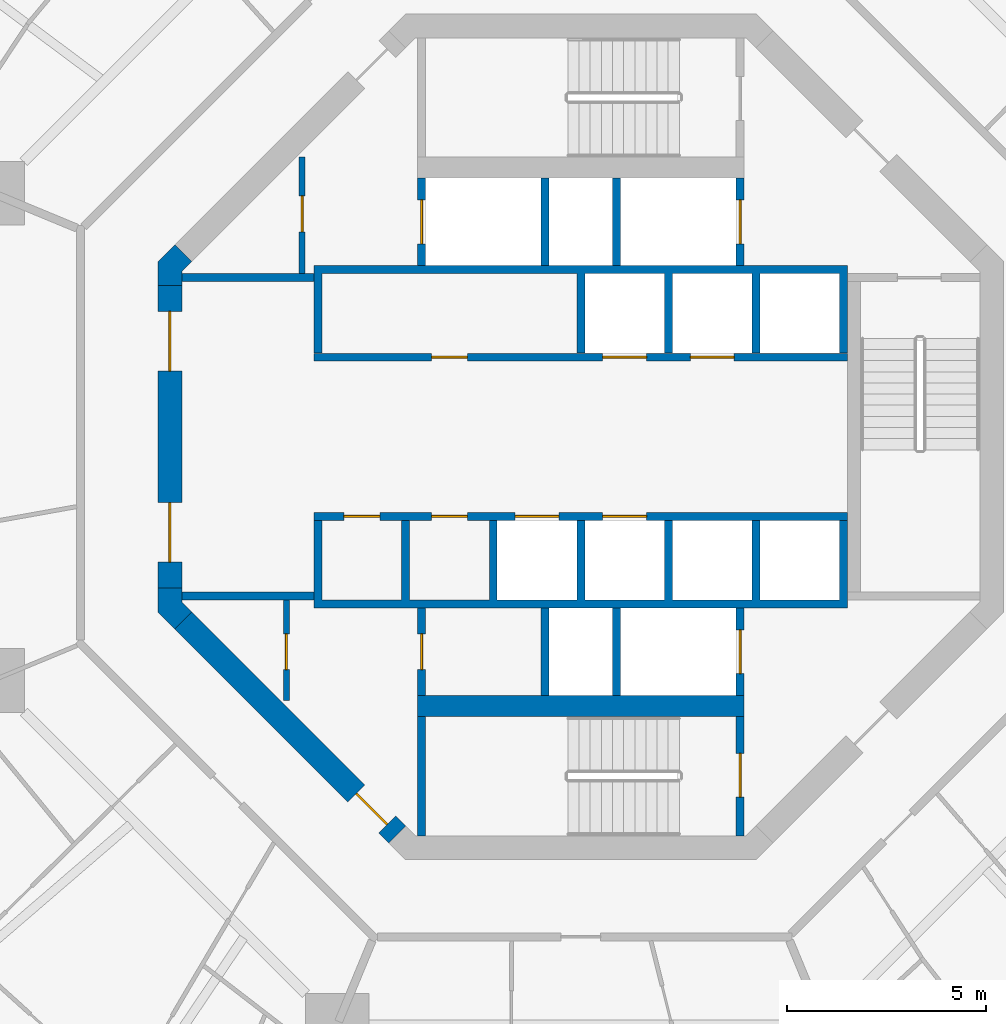
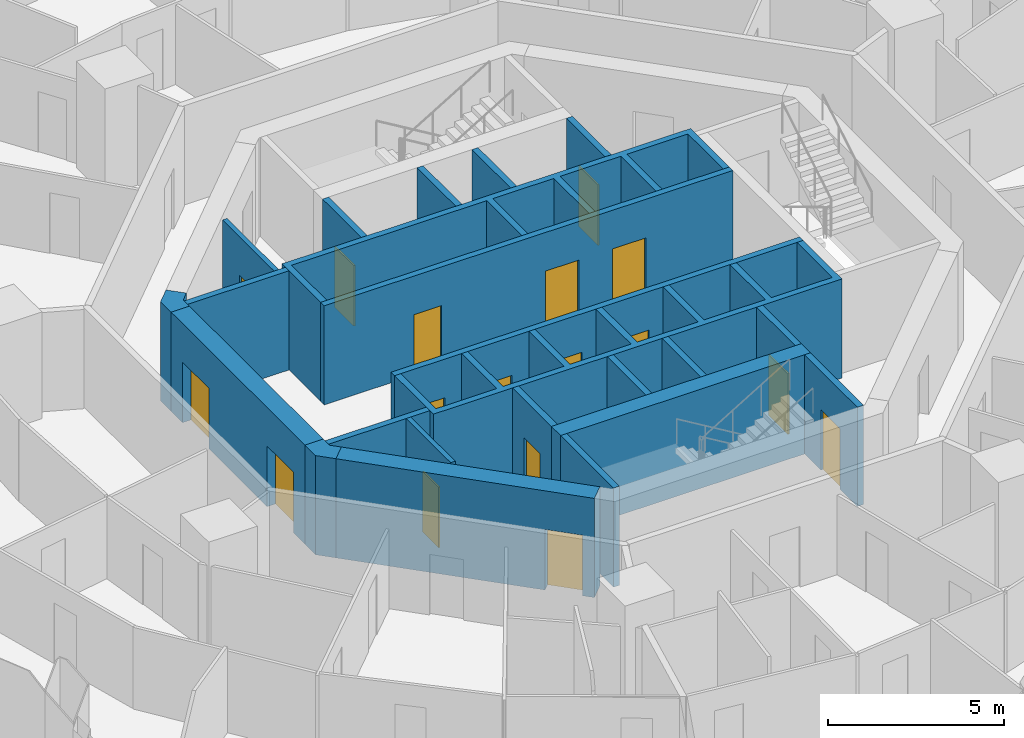
# One storey, part 11 of 18: 23 walls, 17 doors, 17 openings.
"""IFC4 building model written with IfcOpenShell, lengths in metres."""

from ifc_helpers import new_model, si_unit, direction, frame, frame_2d, origin, place, context, subcontext, project, spatial, polyline, rectangle, outline, extrude, material, layer, layer_set, type_object, element, fill, save


model = new_model("IFC4")

# Units and contexts
model_context = context("Model", 3, precision=1e-05, world=origin(), true_north=direction((0.0, 1.0)))
body_context = subcontext(model_context, "Body", "Model", "MODEL_VIEW")
ifc_project = project(units=[si_unit("LENGTHUNIT", "METRE"), si_unit("AREAUNIT", "SQUARE_METRE"), si_unit("VOLUMEUNIT", "CUBIC_METRE"), si_unit("PLANEANGLEUNIT", "RADIAN"), si_unit("MASSUNIT", "GRAM", prefix="KILO")], contexts=[model_context])

# Site, building, storey
site_placement = place(None, origin())
site = spatial("IfcSite", under=ifc_project, at=site_placement, CompositionType="ELEMENT")
building_placement = place(site_placement, origin())
building = spatial("IfcBuilding", under=site, at=building_placement, Name="Nagisa Residences", CompositionType="ELEMENT")
storey_placement = place(building_placement, frame((0.0, 0.0, 234.39990234375)))
storey = spatial("IfcBuildingStorey", under=building, at=storey_placement, Name="L59", CompositionType="ELEMENT", Elevation=234.39990234375)

# Wall, opening, door
ifc_material_1 = material(Name="Gypsum board on steel studs", Category="steel")
ifc_layer_1 = layer(ifc_material_1, 0.14990234375)
ifc_layer_set_1 = layer_set([ifc_layer_1], Name="Core partition 150")
wall_type_1 = type_object("IfcWallType", Name="Core partition 150", PredefinedType="PARTITIONING", material=ifc_layer_set_1)
wall_1_placement = place(storey_placement, frame((-7.0, 4.10009765625, 0.0), z_axis=(0.0, 0.0, 1.0), x_axis=(0.0, 1.0, 0.0)))
wall_1 = element("IfcWall", 1, at=wall_1_placement, inside=storey, type_object=wall_type_1, Name="wall:L59:NWp", PredefinedType="PARTITIONING", context=body_context, shape_type="SweptSolid", body=[
    extrude(rectangle(XDim=2.9267578125, YDim=0.14990234375, at=frame_2d((1.46337890625, 0.0))), origin(), (0.0, 0.0, 1.0), 3.440185546875),
])
opening_1_placement = place(wall_1_placement, frame((1.051025390625, 0.0, 0.0)))
opening_1 = element("IfcOpeningElement", 2, at=opening_1_placement, cuts=wall_1, Name="Opening L59-C11", PredefinedType="OPENING", context=body_context, shape_type="SweptSolid", body=[
    extrude(rectangle(XDim=0.89990234375, YDim=2.10009765625, at=frame_2d((0.449951171875, 1.050048828125))), frame((0.0, 0.0849609375, 0.0), z_axis=(0.0, -1.0, 0.0), x_axis=(1.0, 0.0, 0.0)), (0.0, 0.0, 1.0), 0.169921875),
])
ifc_material_2 = material(Name="Steel fire door", Category="steel")
door_type_1 = type_object("IfcDoorType", Name="Fire door EI30 900x2100 single swing", OperationType="NOTDEFINED", PredefinedType="DOOR", material=ifc_material_2)
door_1_placement = place(opening_1_placement, origin())
door_1 = element("IfcDoor", 3, at=door_1_placement, inside=storey, type_object=door_type_1, Name="Staff WC door L59", OperationType="SINGLE_SWING_LEFT", OverallHeight=2.10009765625, OverallWidth=0.89990234375, PredefinedType="DOOR", context=body_context, shape_type="SweptSolid", body=[
    extrude(rectangle(XDim=0.89990234375, YDim=2.10009765625, at=frame_2d((0.449951171875, 1.050048828125))), frame((0.0, 0.02490234375, 0.0), z_axis=(0.0, -1.0, 0.0), x_axis=(1.0, 0.0, 0.0)), (0.0, 0.0, 1.0), 0.050048828125),
])
fill(opening_1, door_1)

wall_2_placement = place(storey_placement, frame((-7.39990234375, -6.626953125, 0.0), z_axis=(0.0, 0.0, 1.0), x_axis=(0.0, 1.0, 0.0)))
wall_2 = element("IfcWall", 4, at=wall_2_placement, inside=storey, type_object=wall_type_1, Name="wall:L59:SWp", PredefinedType="PARTITIONING", context=body_context, shape_type="SweptSolid", body=[
    extrude(rectangle(XDim=2.52685546875, YDim=0.14990234375, at=frame_2d((1.263427734375, 0.0))), origin(), (0.0, 0.0, 1.0), 3.440185546875),
])
opening_2_placement = place(wall_2_placement, frame((0.77587890625, 0.0, 0.0)))
opening_2 = element("IfcOpeningElement", 5, at=opening_2_placement, cuts=wall_2, Name="Opening L59-C12", PredefinedType="OPENING", context=body_context, shape_type="SweptSolid", body=[
    extrude(rectangle(XDim=0.89990234375, YDim=2.10009765625, at=frame_2d((0.449951171875, 1.050048828125))), frame((0.0, 0.0849609375, 0.0), z_axis=(0.0, -1.0, 0.0), x_axis=(1.0, 0.0, 0.0)), (0.0, 0.0, 1.0), 0.169921875),
])
door_2_placement = place(opening_2_placement, origin())
door_2 = element("IfcDoor", 6, at=door_2_placement, inside=storey, type_object=door_type_1, Name="Telecom room door L59", OperationType="SINGLE_SWING_LEFT", OverallHeight=2.10009765625, OverallWidth=0.89990234375, PredefinedType="DOOR", context=body_context, shape_type="SweptSolid", body=[
    extrude(rectangle(XDim=0.89990234375, YDim=2.10009765625, at=frame_2d((0.449951171875, 1.050048828125))), frame((0.0, 0.02490234375, 0.0), z_axis=(0.0, -1.0, 0.0), x_axis=(1.0, 0.0, 0.0)), (0.0, 0.0, 1.0), 0.050048828125),
])
fill(opening_2, door_2)

# Walls
ifc_material_3 = material(Name="Gypsum board on steel studs", Category="steel")
ifc_layer_2 = layer(ifc_material_3, 0.199951171875)
ifc_layer_set_2 = layer_set([ifc_layer_2], Name="Core partition 200")
wall_type_2 = type_object("IfcWallType", Name="Core partition 200", PredefinedType="PARTITIONING", material=ifc_layer_set_2)
for number, where, z_axis, x_axis, name in (
    (7, (-10.024658203125, -4.0, 0.0), (0.0, 0.0, 1.0), (1.0, 0.0, 0.0), "wall:L59:PSW"),
    (8, (-10.024658203125, 4.0, 0.0), (0.0, 0.0, 1.0), (1.0, 0.0, 0.0), "wall:L59:PNW"),
):
    element("IfcWall", number, at=place(storey_placement, frame(where, z_axis=z_axis, x_axis=x_axis)), inside=storey, type_object=wall_type_2, Name=name, PredefinedType="PARTITIONING", context=body_context, shape_type="SweptSolid", body=[
        extrude(rectangle(XDim=3.32470703125, YDim=0.199951171875, at=frame_2d((1.662353515625, 0.0))), origin(), (0.0, 0.0, 1.0), 3.440185546875),
    ])

# Wall, openings, doors
ifc_material_4 = material(Name="Concrete C60", Category="concrete")
ifc_layer_3 = layer(ifc_material_4, 0.60009765625)
ifc_layer_set_3 = layer_set([ifc_layer_3], Name="Core shear wall 600")
wall_type_3 = type_object("IfcWallType", Name="Core shear wall 600", PredefinedType="SHEAR", material=ifc_layer_set_3)
wall_3_placement = place(storey_placement, frame((-10.32470703125, 3.80078125, 0.0), z_axis=(0.0, 0.0, 1.0), x_axis=(0.0, -1.0, 0.0)))
wall_3 = element("IfcWall", 9, at=wall_3_placement, inside=storey, type_object=wall_type_3, Name="wall:L59:core:flat4", PredefinedType="SHEAR", context=body_context, shape_type="SweptSolid", body=[
    extrude(rectangle(XDim=7.6015625, YDim=0.60009765625, at=frame_2d((3.80078125, 0.0))), origin(), (0.0, 0.0, 1.0), 3.440185546875),
])
opening_3_placement = place(wall_3_placement, frame((0.65087890625, 0.0, 0.0)))
opening_3 = element("IfcOpeningElement", 10, at=opening_3_placement, cuts=wall_3, Name="Opening L59-C19", PredefinedType="OPENING", context=body_context, shape_type="SweptSolid", body=[
    extrude(rectangle(XDim=1.5, YDim=2.10009765625, at=frame_2d((0.75, 1.050048828125))), frame((0.0, 0.31005859375, 0.0), z_axis=(0.0, -1.0, 0.0), x_axis=(1.0, 0.0, 0.0)), (0.0, 0.0, 1.0), 0.6201171875),
])
opening_4_placement = place(wall_3_placement, frame((5.450927734375, 0.0, 0.0)))
opening_4 = element("IfcOpeningElement", 11, at=opening_4_placement, cuts=wall_3, Name="Opening L59-C20", PredefinedType="OPENING", context=body_context, shape_type="SweptSolid", body=[
    extrude(rectangle(XDim=1.5, YDim=2.10009765625, at=frame_2d((0.75, 1.050048828125))), frame((0.0, 0.31005859375, 0.0), z_axis=(0.0, -1.0, 0.0), x_axis=(1.0, 0.0, 0.0)), (0.0, 0.0, 1.0), 0.6201171875),
])
ifc_material_5 = material(Name="Steel fire door", Category="steel")
door_type_2 = type_object("IfcDoorType", Name="Fire door EI60 1500x2100 double door single swing", OperationType="DOUBLE_DOOR_SINGLE_SWING", PredefinedType="DOOR", material=ifc_material_5)
door_3_placement = place(opening_3_placement, origin())
door_3 = element("IfcDoor", 12, at=door_3_placement, inside=storey, type_object=door_type_2, Name="Lift lobby door L59 1", OperationType="DOUBLE_DOOR_SINGLE_SWING", OverallHeight=2.10009765625, OverallWidth=1.5, PredefinedType="DOOR", context=body_context, shape_type="SweptSolid", body=[
    extrude(rectangle(XDim=1.5, YDim=2.10009765625, at=frame_2d((0.75, 1.050048828125))), frame((0.0, 0.02490234375, 0.0), z_axis=(0.0, -1.0, 0.0), x_axis=(1.0, 0.0, 0.0)), (0.0, 0.0, 1.0), 0.050048828125),
])
fill(opening_3, door_3)
door_4_placement = place(opening_4_placement, origin())
door_4 = element("IfcDoor", 13, at=door_4_placement, inside=storey, type_object=door_type_2, Name="Lift lobby door L59 2", OperationType="DOUBLE_DOOR_SINGLE_SWING", OverallHeight=2.10009765625, OverallWidth=1.5, PredefinedType="DOOR", context=body_context, shape_type="SweptSolid", body=[
    extrude(rectangle(XDim=1.5, YDim=2.10009765625, at=frame_2d((0.75, 1.050048828125))), frame((0.0, 0.02490234375, 0.0), z_axis=(0.0, -1.0, 0.0), x_axis=(1.0, 0.0, 0.0)), (0.0, 0.0, 1.0), 0.050048828125),
])
fill(opening_4, door_4)

# Wall, opening, door
wall_4_placement = place(storey_placement, frame((-9.98828125, -4.613037109375, 0.0), z_axis=(0.0, 0.0, 1.0), x_axis=(0.707106781187, -0.707106781187, 0.0)))
wall_4 = element("IfcWall", 14, at=wall_4_placement, inside=storey, type_object=wall_type_3, Name="wall:L59:core:flat5", PredefinedType="SHEAR", context=body_context, shape_type="SweptSolid", body=[
    extrude(rectangle(XDim=7.601806640625, YDim=0.60009765625, at=frame_2d((3.80078125, 0.0))), origin(), (0.0, 0.0, 1.0), 3.440185546875),
])
opening_5_placement = place(wall_4_placement, frame((6.15087890625, 0.0, 0.0)))
opening_5 = element("IfcOpeningElement", 15, at=opening_5_placement, cuts=wall_4, Name="Opening L59-C22", PredefinedType="OPENING", context=body_context, shape_type="SweptSolid", body=[
    extrude(rectangle(XDim=1.10009765625, YDim=2.10009765625, at=frame_2d((0.550048828125, 1.050048828125))), frame((0.0, 0.31005859375, 0.0), z_axis=(0.0, -1.0, 0.0), x_axis=(1.0, 0.0, 0.0)), (0.0, 0.0, 1.0), 0.6201171875),
])
ifc_material_6 = material(Name="Steel fire door", Category="steel")
door_type_3 = type_object("IfcDoorType", Name="Fire door EI60 1100x2100 single swing", OperationType="NOTDEFINED", PredefinedType="DOOR", material=ifc_material_6)
door_5_placement = place(opening_5_placement, origin())
door_5 = element("IfcDoor", 16, at=door_5_placement, inside=storey, type_object=door_type_3, Name="Housekeeping lobby door L59", OperationType="SINGLE_SWING_LEFT", OverallHeight=2.10009765625, OverallWidth=1.10009765625, PredefinedType="DOOR", context=body_context, shape_type="SweptSolid", body=[
    extrude(rectangle(XDim=1.10009765625, YDim=2.10009765625, at=frame_2d((0.550048828125, 1.050048828125))), frame((0.0, 0.02490234375, 0.0), z_axis=(0.0, -1.0, 0.0), x_axis=(1.0, 0.0, 0.0)), (0.0, 0.0, 1.0), 0.050048828125),
])
fill(opening_5, door_5)

# Walls
wall_5_placement = place(storey_placement, origin())
element("IfcWall", 17, at=wall_5_placement, inside=storey, type_object=wall_type_3, Name="wall:L59:core:pier4", PredefinedType="SHEAR", context=body_context, shape_type="SweptSolid", body=[
    extrude(outline(polyline([(-10.62451171875, -3.80078125), (-10.024658203125, -3.80078125), (-10.024658203125, -4.15234375), (-9.776123046875, -4.40087890625), (-10.200439453125, -4.8251953125), (-10.62451171875, -4.40087890625), (-10.62451171875, -3.80078125)])), origin(), (0.0, 0.0, 1.0), 3.440185546875),
])
wall_6_placement = place(storey_placement, origin())
element("IfcWall", 18, at=wall_6_placement, inside=storey, type_object=wall_type_3, Name="wall:L59:core:pier3", PredefinedType="SHEAR", context=body_context, shape_type="SweptSolid", body=[
    extrude(outline(polyline([(-10.200439453125, 4.8251953125), (-9.776123046875, 4.40087890625), (-10.024658203125, 4.15234375), (-10.024658203125, 3.80078125), (-10.62451171875, 3.80078125), (-10.62451171875, 4.40087890625), (-10.200439453125, 4.8251953125)])), origin(), (0.0, 0.0, 1.0), 3.440185546875),
])

# Wall, opening, door
ifc_material_7 = material(Name="Concrete C60", Category="concrete")
ifc_layer_4 = layer(ifc_material_7, 0.199951171875)
ifc_layer_set_4 = layer_set([ifc_layer_4], Name="Lift shaft wall 200")
wall_type_4 = type_object("IfcWallType", Name="Lift shaft wall 200", PredefinedType="SOLIDWALL", material=ifc_layer_set_4)
wall_7_placement = place(storey_placement, frame((4.0, 4.300048828125, 0.0), z_axis=(0.0, 0.0, 1.0), x_axis=(0.0, 1.0, 0.0)))
wall_7 = element("IfcWall", 19, at=wall_7_placement, inside=storey, type_object=wall_type_4, Name="wall:L59:Nb3", PredefinedType="SOLIDWALL", context=body_context, shape_type="SweptSolid", body=[
    extrude(rectangle(XDim=2.199951171875, YDim=0.199951171875, at=frame_2d((1.10009765625, 0.0))), origin(), (0.0, 0.0, 1.0), 3.440185546875),
])
opening_6_placement = place(wall_7_placement, frame((0.550048828125, 0.0, 0.0)))
opening_6 = element("IfcOpeningElement", 20, at=opening_6_placement, cuts=wall_7, Name="Opening L59-C05", PredefinedType="OPENING", context=body_context, shape_type="SweptSolid", body=[
    extrude(rectangle(XDim=1.10009765625, YDim=2.10009765625, at=frame_2d((0.550048828125, 1.050048828125))), frame((0.0, 0.10986328125, 0.0), z_axis=(0.0, -1.0, 0.0), x_axis=(1.0, 0.0, 0.0)), (0.0, 0.0, 1.0), 0.219970703125),
])
ifc_material_8 = material(Name="Stainless steel", Category="steel")
door_type_4 = type_object("IfcDoorType", Name="Lift landing door 1100x2100", OperationType="DOUBLE_DOOR_SLIDING", PredefinedType="DOOR", material=ifc_material_8)
door_6_placement = place(opening_6_placement, origin())
door_6 = element("IfcDoor", 21, at=door_6_placement, inside=storey, type_object=door_type_4, Name="Landing door FL1 L59", OperationType="DOUBLE_DOOR_SLIDING", OverallHeight=2.10009765625, OverallWidth=1.10009765625, PredefinedType="DOOR", context=body_context, shape_type="SweptSolid", body=[
    extrude(rectangle(XDim=1.10009765625, YDim=2.10009765625, at=frame_2d((0.550048828125, 1.050048828125))), frame((0.0, 0.02490234375, 0.0), z_axis=(0.0, -1.0, 0.0), x_axis=(1.0, 0.0, 0.0)), (0.0, 0.0, 1.0), 0.050048828125),
])
fill(opening_6, door_6)

wall_8_placement = place(storey_placement, frame((-4.0, 4.300048828125, 0.0), z_axis=(0.0, 0.0, 1.0), x_axis=(0.0, 1.0, 0.0)))
wall_8 = element("IfcWall", 22, at=wall_8_placement, inside=storey, type_object=wall_type_4, Name="wall:L59:Nb4", PredefinedType="SOLIDWALL", context=body_context, shape_type="SweptSolid", body=[
    extrude(rectangle(XDim=2.199951171875, YDim=0.199951171875, at=frame_2d((1.10009765625, 0.0))), origin(), (0.0, 0.0, 1.0), 3.440185546875),
])
opening_7_placement = place(wall_8_placement, frame((0.550048828125, 0.0, 0.0)))
opening_7 = element("IfcOpeningElement", 23, at=opening_7_placement, cuts=wall_8, Name="Opening L59-C07", PredefinedType="OPENING", context=body_context, shape_type="SweptSolid", body=[
    extrude(rectangle(XDim=1.10009765625, YDim=2.10009765625, at=frame_2d((0.550048828125, 1.050048828125))), frame((0.0, 0.10986328125, 0.0), z_axis=(0.0, -1.0, 0.0), x_axis=(1.0, 0.0, 0.0)), (0.0, 0.0, 1.0), 0.219970703125),
])
door_7_placement = place(opening_7_placement, origin())
door_7 = element("IfcDoor", 24, at=door_7_placement, inside=storey, type_object=door_type_4, Name="Landing door SV L59", OperationType="DOUBLE_DOOR_SLIDING", OverallHeight=2.10009765625, OverallWidth=1.10009765625, PredefinedType="DOOR", context=body_context, shape_type="SweptSolid", body=[
    extrude(rectangle(XDim=1.10009765625, YDim=2.10009765625, at=frame_2d((0.550048828125, 1.050048828125))), frame((0.0, 0.02490234375, 0.0), z_axis=(0.0, -1.0, 0.0), x_axis=(1.0, 0.0, 0.0)), (0.0, 0.0, 1.0), 0.050048828125),
])
fill(opening_7, door_7)

# Wall, openings, doors
wall_9_placement = place(storey_placement, frame((-6.699951171875, 2.0, 0.0), z_axis=(0.0, 0.0, 1.0), x_axis=(1.0, 0.0, 0.0)))
wall_9 = element("IfcWall", 25, at=wall_9_placement, inside=storey, type_object=wall_type_4, Name="wall:L59:Nfront", PredefinedType="SOLIDWALL", context=body_context, shape_type="SweptSolid", body=[
    extrude(rectangle(XDim=13.39990234375, YDim=0.199951171875, at=frame_2d((6.699951171875, 0.0))), origin(), (0.0, 0.0, 1.0), 3.440185546875),
])
opening_8_placement = place(wall_9_placement, frame((7.25, 0.0, 0.0)))
opening_8 = element("IfcOpeningElement", 26, at=opening_8_placement, cuts=wall_9, Name="Opening L59-C01", PredefinedType="OPENING", context=body_context, shape_type="SweptSolid", body=[
    extrude(rectangle(XDim=1.10009765625, YDim=2.10009765625, at=frame_2d((0.550048828125, 1.050048828125))), frame((0.0, 0.10986328125, 0.0), z_axis=(0.0, -1.0, 0.0), x_axis=(1.0, 0.0, 0.0)), (0.0, 0.0, 1.0), 0.219970703125),
])
opening_9_placement = place(wall_9_placement, frame((9.449951171875, 0.0, 0.0)))
opening_9 = element("IfcOpeningElement", 27, at=opening_9_placement, cuts=wall_9, Name="Opening L59-C02", PredefinedType="OPENING", context=body_context, shape_type="SweptSolid", body=[
    extrude(rectangle(XDim=1.10009765625, YDim=2.10009765625, at=frame_2d((0.550048828125, 1.050048828125))), frame((0.0, 0.10986328125, 0.0), z_axis=(0.0, -1.0, 0.0), x_axis=(1.0, 0.0, 0.0)), (0.0, 0.0, 1.0), 0.219970703125),
])
opening_10_placement = place(wall_9_placement, frame((2.949951171875, 0.0, 0.0)))
opening_10 = element("IfcOpeningElement", 28, at=opening_10_placement, cuts=wall_9, Name="Opening L59-C14", PredefinedType="OPENING", context=body_context, shape_type="SweptSolid", body=[
    extrude(rectangle(XDim=0.89990234375, YDim=2.10009765625, at=frame_2d((0.449951171875, 1.050048828125))), frame((0.0, 0.10986328125, 0.0), z_axis=(0.0, -1.0, 0.0), x_axis=(1.0, 0.0, 0.0)), (0.0, 0.0, 1.0), 0.219970703125),
])
door_8_placement = place(opening_10_placement, origin())
door_8 = element("IfcDoor", 29, at=door_8_placement, inside=storey, type_object=door_type_1, Name="Recycling room door L59", OperationType="SINGLE_SWING_RIGHT", OverallHeight=2.10009765625, OverallWidth=0.89990234375, PredefinedType="DOOR", context=body_context, shape_type="SweptSolid", body=[
    extrude(rectangle(XDim=0.89990234375, YDim=2.10009765625, at=frame_2d((0.449951171875, 1.050048828125))), frame((0.0, 0.02490234375, 0.0), z_axis=(0.0, -1.0, 0.0), x_axis=(1.0, 0.0, 0.0)), (0.0, 0.0, 1.0), 0.050048828125),
])
fill(opening_10, door_8)
door_9_placement = place(opening_8_placement, origin())
door_9 = element("IfcDoor", 30, at=door_9_placement, inside=storey, type_object=door_type_4, Name="Landing door B1 L59", OperationType="DOUBLE_DOOR_SLIDING", OverallHeight=2.10009765625, OverallWidth=1.10009765625, PredefinedType="DOOR", context=body_context, shape_type="SweptSolid", body=[
    extrude(rectangle(XDim=1.10009765625, YDim=2.10009765625, at=frame_2d((0.550048828125, 1.050048828125))), frame((0.0, 0.02490234375, 0.0), z_axis=(0.0, -1.0, 0.0), x_axis=(1.0, 0.0, 0.0)), (0.0, 0.0, 1.0), 0.050048828125),
])
fill(opening_8, door_9)
door_10_placement = place(opening_9_placement, origin())
door_10 = element("IfcDoor", 31, at=door_10_placement, inside=storey, type_object=door_type_4, Name="Landing door B2 L59", OperationType="DOUBLE_DOOR_SLIDING", OverallHeight=2.10009765625, OverallWidth=1.10009765625, PredefinedType="DOOR", context=body_context, shape_type="SweptSolid", body=[
    extrude(rectangle(XDim=1.10009765625, YDim=2.10009765625, at=frame_2d((0.550048828125, 1.050048828125))), frame((0.0, 0.02490234375, 0.0), z_axis=(0.0, -1.0, 0.0), x_axis=(1.0, 0.0, 0.0)), (0.0, 0.0, 1.0), 0.050048828125),
])
fill(opening_9, door_10)

# Wall, opening, door
wall_10_placement = place(storey_placement, frame((4.0, -6.5, 0.0), z_axis=(0.0, 0.0, 1.0), x_axis=(0.0, 1.0, 0.0)))
wall_10 = element("IfcWall", 32, at=wall_10_placement, inside=storey, type_object=wall_type_4, Name="wall:L59:Sb3", PredefinedType="SOLIDWALL", context=body_context, shape_type="SweptSolid", body=[
    extrude(rectangle(XDim=2.199951171875, YDim=0.199951171875, at=frame_2d((1.10009765625, 0.0))), origin(), (0.0, 0.0, 1.0), 3.440185546875),
])
opening_11_placement = place(wall_10_placement, frame((0.550048828125, 0.0, 0.0)))
opening_11 = element("IfcOpeningElement", 33, at=opening_11_placement, cuts=wall_10, Name="Opening L59-C06", PredefinedType="OPENING", context=body_context, shape_type="SweptSolid", body=[
    extrude(rectangle(XDim=1.10009765625, YDim=2.10009765625, at=frame_2d((0.550048828125, 1.050048828125))), frame((0.0, 0.10986328125, 0.0), z_axis=(0.0, -1.0, 0.0), x_axis=(1.0, 0.0, 0.0)), (0.0, 0.0, 1.0), 0.219970703125),
])
door_11_placement = place(opening_11_placement, origin())
door_11 = element("IfcDoor", 34, at=door_11_placement, inside=storey, type_object=door_type_4, Name="Landing door FL2 L59", OperationType="DOUBLE_DOOR_SLIDING", OverallHeight=2.10009765625, OverallWidth=1.10009765625, PredefinedType="DOOR", context=body_context, shape_type="SweptSolid", body=[
    extrude(rectangle(XDim=1.10009765625, YDim=2.10009765625, at=frame_2d((0.550048828125, 1.050048828125))), frame((0.0, 0.02490234375, 0.0), z_axis=(0.0, -1.0, 0.0), x_axis=(1.0, 0.0, 0.0)), (0.0, 0.0, 1.0), 0.050048828125),
])
fill(opening_11, door_11)

wall_11_placement = place(storey_placement, frame((-4.0, -6.5, 0.0), z_axis=(0.0, 0.0, 1.0), x_axis=(0.0, 1.0, 0.0)))
wall_11 = element("IfcWall", 35, at=wall_11_placement, inside=storey, type_object=wall_type_4, Name="wall:L59:Sb4", PredefinedType="SOLIDWALL", context=body_context, shape_type="SweptSolid", body=[
    extrude(rectangle(XDim=2.199951171875, YDim=0.199951171875, at=frame_2d((1.10009765625, 0.0))), origin(), (0.0, 0.0, 1.0), 3.440185546875),
])
opening_12_placement = place(wall_11_placement, frame((0.64990234375, 0.0, 0.0)))
opening_12 = element("IfcOpeningElement", 36, at=opening_12_placement, cuts=wall_11, Name="Opening L59-C13", PredefinedType="OPENING", context=body_context, shape_type="SweptSolid", body=[
    extrude(rectangle(XDim=0.89990234375, YDim=2.10009765625, at=frame_2d((0.449951171875, 1.050048828125))), frame((0.0, 0.10986328125, 0.0), z_axis=(0.0, -1.0, 0.0), x_axis=(1.0, 0.0, 0.0)), (0.0, 0.0, 1.0), 0.219970703125),
])
door_12_placement = place(opening_12_placement, frame((0.89990234375, 0.0, 0.0), x_axis=(-1.0, 0.0, 0.0)))
door_12 = element("IfcDoor", 37, at=door_12_placement, inside=storey, type_object=door_type_1, Name="Refuse room door L59", OperationType="SINGLE_SWING_RIGHT", OverallHeight=2.10009765625, OverallWidth=0.89990234375, PredefinedType="DOOR", context=body_context, shape_type="SweptSolid", body=[
    extrude(rectangle(XDim=0.89990234375, YDim=2.10009765625, at=frame_2d((0.449951171875, 1.050048828125))), frame((0.0, 0.02490234375, 0.0), z_axis=(0.0, -1.0, 0.0), x_axis=(1.0, 0.0, 0.0)), (0.0, 0.0, 1.0), 0.050048828125),
])
fill(opening_12, door_12)

# Wall, openings, doors
wall_12_placement = place(storey_placement, frame((-6.699951171875, -2.0, 0.0), z_axis=(0.0, 0.0, 1.0), x_axis=(1.0, 0.0, 0.0)))
wall_12 = element("IfcWall", 38, at=wall_12_placement, inside=storey, type_object=wall_type_4, Name="wall:L59:Sfront", PredefinedType="SOLIDWALL", context=body_context, shape_type="SweptSolid", body=[
    extrude(rectangle(XDim=13.39990234375, YDim=0.199951171875, at=frame_2d((6.699951171875, 0.0))), origin(), (0.0, 0.0, 1.0), 3.440185546875),
])
opening_13_placement = place(wall_12_placement, frame((5.050048828125, 0.0, 0.0)))
opening_13 = element("IfcOpeningElement", 39, at=opening_13_placement, cuts=wall_12, Name="Opening L59-C03", PredefinedType="OPENING", context=body_context, shape_type="SweptSolid", body=[
    extrude(rectangle(XDim=1.10009765625, YDim=2.10009765625, at=frame_2d((0.550048828125, 1.050048828125))), frame((0.0, 0.10986328125, 0.0), z_axis=(0.0, -1.0, 0.0), x_axis=(1.0, 0.0, 0.0)), (0.0, 0.0, 1.0), 0.219970703125),
])
opening_14_placement = place(wall_12_placement, frame((7.25, 0.0, 0.0)))
opening_14 = element("IfcOpeningElement", 40, at=opening_14_placement, cuts=wall_12, Name="Opening L59-C04", PredefinedType="OPENING", context=body_context, shape_type="SweptSolid", body=[
    extrude(rectangle(XDim=1.10009765625, YDim=2.10009765625, at=frame_2d((0.550048828125, 1.050048828125))), frame((0.0, 0.10986328125, 0.0), z_axis=(0.0, -1.0, 0.0), x_axis=(1.0, 0.0, 0.0)), (0.0, 0.0, 1.0), 0.219970703125),
])
opening_15_placement = place(wall_12_placement, frame((0.75, 0.0, 0.0)))
opening_15 = element("IfcOpeningElement", 41, at=opening_15_placement, cuts=wall_12, Name="Opening L59-C15", PredefinedType="OPENING", context=body_context, shape_type="SweptSolid", body=[
    extrude(rectangle(XDim=0.89990234375, YDim=2.10009765625, at=frame_2d((0.449951171875, 1.050048828125))), frame((0.0, 0.10986328125, 0.0), z_axis=(0.0, -1.0, 0.0), x_axis=(1.0, 0.0, 0.0)), (0.0, 0.0, 1.0), 0.219970703125),
])
opening_16_placement = place(wall_12_placement, frame((2.949951171875, 0.0, 0.0)))
opening_16 = element("IfcOpeningElement", 42, at=opening_16_placement, cuts=wall_12, Name="Opening L59-C16", PredefinedType="OPENING", context=body_context, shape_type="SweptSolid", body=[
    extrude(rectangle(XDim=0.89990234375, YDim=2.10009765625, at=frame_2d((0.449951171875, 1.050048828125))), frame((0.0, 0.10986328125, 0.0), z_axis=(0.0, -1.0, 0.0), x_axis=(1.0, 0.0, 0.0)), (0.0, 0.0, 1.0), 0.219970703125),
])
door_13_placement = place(opening_15_placement, frame((0.89990234375, 0.0, 0.0), x_axis=(-1.0, 0.0, 0.0)))
door_13 = element("IfcDoor", 43, at=door_13_placement, inside=storey, type_object=door_type_1, Name="Stationery store door L59", OperationType="SINGLE_SWING_LEFT", OverallHeight=2.10009765625, OverallWidth=0.89990234375, PredefinedType="DOOR", context=body_context, shape_type="SweptSolid", body=[
    extrude(rectangle(XDim=0.89990234375, YDim=2.10009765625, at=frame_2d((0.449951171875, 1.050048828125))), frame((0.0, 0.02490234375, 0.0), z_axis=(0.0, -1.0, 0.0), x_axis=(1.0, 0.0, 0.0)), (0.0, 0.0, 1.0), 0.050048828125),
])
fill(opening_15, door_13)
door_14_placement = place(opening_16_placement, frame((0.89990234375, 0.0, 0.0), x_axis=(-1.0, 0.0, 0.0)))
door_14 = element("IfcDoor", 44, at=door_14_placement, inside=storey, type_object=door_type_1, Name="Wine store door L59", OperationType="SINGLE_SWING_LEFT", OverallHeight=2.10009765625, OverallWidth=0.89990234375, PredefinedType="DOOR", context=body_context, shape_type="SweptSolid", body=[
    extrude(rectangle(XDim=0.89990234375, YDim=2.10009765625, at=frame_2d((0.449951171875, 1.050048828125))), frame((0.0, 0.02490234375, 0.0), z_axis=(0.0, -1.0, 0.0), x_axis=(1.0, 0.0, 0.0)), (0.0, 0.0, 1.0), 0.050048828125),
])
fill(opening_16, door_14)
door_15_placement = place(opening_13_placement, origin())
door_15 = element("IfcDoor", 45, at=door_15_placement, inside=storey, type_object=door_type_4, Name="Landing door B3 L59", OperationType="DOUBLE_DOOR_SLIDING", OverallHeight=2.10009765625, OverallWidth=1.10009765625, PredefinedType="DOOR", context=body_context, shape_type="SweptSolid", body=[
    extrude(rectangle(XDim=1.10009765625, YDim=2.10009765625, at=frame_2d((0.550048828125, 1.050048828125))), frame((0.0, 0.02490234375, 0.0), z_axis=(0.0, -1.0, 0.0), x_axis=(1.0, 0.0, 0.0)), (0.0, 0.0, 1.0), 0.050048828125),
])
fill(opening_13, door_15)
door_16_placement = place(opening_14_placement, origin())
door_16 = element("IfcDoor", 46, at=door_16_placement, inside=storey, type_object=door_type_4, Name="Landing door B4 L59", OperationType="DOUBLE_DOOR_SLIDING", OverallHeight=2.10009765625, OverallWidth=1.10009765625, PredefinedType="DOOR", context=body_context, shape_type="SweptSolid", body=[
    extrude(rectangle(XDim=1.10009765625, YDim=2.10009765625, at=frame_2d((0.550048828125, 1.050048828125))), frame((0.0, 0.02490234375, 0.0), z_axis=(0.0, -1.0, 0.0), x_axis=(1.0, 0.0, 0.0)), (0.0, 0.0, 1.0), 0.050048828125),
])
fill(opening_14, door_16)

# Walls
for number, where, z_axis, x_axis, name in (
    (47, (-0.89990234375, -6.5, 0.0), (0.0, 0.0, 1.0), (0.0, 1.0, 0.0), "wall:L59:Sb1"),
    (48, (0.89990234375, -6.5, 0.0), (0.0, 0.0, 1.0), (0.0, 1.0, 0.0), "wall:L59:Sb2"),
):
    element("IfcWall", number, at=place(storey_placement, frame(where, z_axis=z_axis, x_axis=x_axis)), inside=storey, type_object=wall_type_4, Name=name, PredefinedType="SOLIDWALL", context=body_context, shape_type="SweptSolid", body=[
        extrude(rectangle(XDim=2.199951171875, YDim=0.199951171875, at=frame_2d((1.10009765625, 0.0))), origin(), (0.0, 0.0, 1.0), 3.440185546875),
    ])
wall_13_placement = place(storey_placement, origin())
element("IfcWall", 49, at=wall_13_placement, inside=storey, type_object=wall_type_4, Name="wall:L59:Sback", PredefinedType="SOLIDWALL", context=body_context, shape_type="SweptSolid", body=[
    extrude(outline(polyline([(-6.699951171875, -2.10009765625), (-6.5, -2.10009765625), (-6.5, -4.10009765625), (-4.5, -4.10009765625), (-4.5, -2.10009765625), (-4.300048828125, -2.10009765625), (-4.300048828125, -4.10009765625), (-2.300048828125, -4.10009765625), (-2.300048828125, -2.10009765625), (-2.10009765625, -2.10009765625), (-2.10009765625, -4.10009765625), (-0.10009765625, -4.10009765625), (-0.10009765625, -2.10009765625), (0.10009765625, -2.10009765625), (0.10009765625, -4.10009765625), (2.10009765625, -4.10009765625), (2.10009765625, -2.10009765625), (2.300048828125, -2.10009765625), (2.300048828125, -4.10009765625), (4.300048828125, -4.10009765625), (4.300048828125, -2.10009765625), (4.5, -2.10009765625), (4.5, -4.10009765625), (6.5, -4.10009765625), (6.5, -2.10009765625), (6.699951171875, -2.10009765625), (6.699951171875, -4.300048828125), (-6.699951171875, -4.300048828125), (-6.699951171875, -2.10009765625)])), origin(), (0.0, 0.0, 1.0), 3.440185546875),
])
for number, where, z_axis, x_axis, name in (
    (50, (-0.89990234375, 4.300048828125, 0.0), (0.0, 0.0, 1.0), (0.0, 1.0, 0.0), "wall:L59:Nb1"),
    (51, (0.89990234375, 4.300048828125, 0.0), (0.0, 0.0, 1.0), (0.0, 1.0, 0.0), "wall:L59:Nb2"),
):
    element("IfcWall", number, at=place(storey_placement, frame(where, z_axis=z_axis, x_axis=x_axis)), inside=storey, type_object=wall_type_4, Name=name, PredefinedType="SOLIDWALL", context=body_context, shape_type="SweptSolid", body=[
        extrude(rectangle(XDim=2.199951171875, YDim=0.199951171875, at=frame_2d((1.10009765625, 0.0))), origin(), (0.0, 0.0, 1.0), 3.440185546875),
    ])
wall_14_placement = place(storey_placement, origin())
element("IfcWall", 52, at=wall_14_placement, inside=storey, type_object=wall_type_4, Name="wall:L59:Nback", PredefinedType="SOLIDWALL", context=body_context, shape_type="SweptSolid", body=[
    extrude(outline(polyline([(-6.699951171875, 4.300048828125), (6.699951171875, 4.300048828125), (6.699951171875, 2.10009765625), (6.5, 2.10009765625), (6.5, 4.10009765625), (4.5, 4.10009765625), (4.5, 2.10009765625), (4.300048828125, 2.10009765625), (4.300048828125, 4.10009765625), (2.300048828125, 4.10009765625), (2.300048828125, 2.10009765625), (2.10009765625, 2.10009765625), (2.10009765625, 4.10009765625), (0.10009765625, 4.10009765625), (0.10009765625, 2.10009765625), (-0.10009765625, 2.10009765625), (-0.10009765625, 4.10009765625), (-6.5, 4.10009765625), (-6.5, 2.10009765625), (-6.699951171875, 2.10009765625), (-6.699951171875, 4.300048828125)])), origin(), (0.0, 0.0, 1.0), 3.440185546875),
])

# Wall, opening, door
ifc_material_9 = material(Name="Concrete C60", Category="concrete")
ifc_layer_5 = layer(ifc_material_9, 0.199951171875)
ifc_layer_set_5 = layer_set([ifc_layer_5], Name="Stair enclosure wall 200")
wall_type_5 = type_object("IfcWallType", Name="Stair enclosure wall 200", PredefinedType="SOLIDWALL", material=ifc_layer_set_5)
wall_15_placement = place(storey_placement, frame((4.0, -10.024658203125, 0.0), z_axis=(0.0, 0.0, 1.0), x_axis=(0.0, 1.0, 0.0)))
wall_15 = element("IfcWall", 53, at=wall_15_placement, inside=storey, type_object=wall_type_5, Name="wall:L59:SS_e", PredefinedType="SOLIDWALL", context=body_context, shape_type="SweptSolid", body=[
    extrude(rectangle(XDim=3.0, YDim=0.199951171875, at=frame_2d((1.5, 0.0))), origin(), (0.0, 0.0, 1.0), 3.440185546875),
])
opening_17_placement = place(wall_15_placement, frame((0.974609375, 0.0, 0.0)))
opening_17 = element("IfcOpeningElement", 54, at=opening_17_placement, cuts=wall_15, Name="Opening L59-C10", PredefinedType="OPENING", context=body_context, shape_type="SweptSolid", body=[
    extrude(rectangle(XDim=1.10009765625, YDim=2.10009765625, at=frame_2d((0.550048828125, 1.050048828125))), frame((0.0, 0.10986328125, 0.0), z_axis=(0.0, -1.0, 0.0), x_axis=(1.0, 0.0, 0.0)), (0.0, 0.0, 1.0), 0.219970703125),
])
ifc_material_10 = material(Name="Steel fire door", Category="steel")
door_type_5 = type_object("IfcDoorType", Name="Fire door EI90 1100x2100 single swing", OperationType="NOTDEFINED", PredefinedType="DOOR", material=ifc_material_10)
door_17_placement = place(opening_17_placement, origin())
door_17 = element("IfcDoor", 55, at=door_17_placement, inside=storey, type_object=door_type_5, Name="Stair door ST-S L59", OperationType="SINGLE_SWING_LEFT", OverallHeight=2.10009765625, OverallWidth=1.10009765625, PredefinedType="DOOR", context=body_context, shape_type="SweptSolid", body=[
    extrude(rectangle(XDim=1.10009765625, YDim=2.10009765625, at=frame_2d((0.550048828125, 1.050048828125))), frame((0.0, 0.02490234375, 0.0), z_axis=(0.0, -1.0, 0.0), x_axis=(1.0, 0.0, 0.0)), (0.0, 0.0, 1.0), 0.050048828125),
])
fill(opening_17, door_17)

# Walls
wall_16_placement = place(storey_placement, origin())
element("IfcWall", 56, at=wall_16_placement, inside=storey, type_object=wall_type_5, Name="wall:L59:SS_w", PredefinedType="SOLIDWALL", context=body_context, shape_type="SweptSolid", body=[
    extrude(outline(polyline([(-3.89990234375, -10.024658203125), (-4.10009765625, -10.024658203125), (-4.10009765625, -7.024658203125), (-3.89990234375, -7.024658203125), (-3.89990234375, -10.024658203125)])), origin(), (0.0, 0.0, 1.0), 3.440185546875),
])
wall_17_placement = place(storey_placement, origin())
element("IfcWall", 57, at=wall_17_placement, inside=storey, type_object=wall_type_5, Name="wall:L59:SS_n", PredefinedType="SOLIDWALL", context=body_context, shape_type="SweptSolid", body=[
    extrude(outline(polyline([(4.10009765625, -7.024658203125), (-4.10009765625, -7.024658203125), (-4.10009765625, -6.5), (4.10009765625, -6.5), (4.10009765625, -7.024658203125)])), origin(), (0.0, 0.0, 1.0), 3.440185546875),
])

save(model, "model.ifc")
